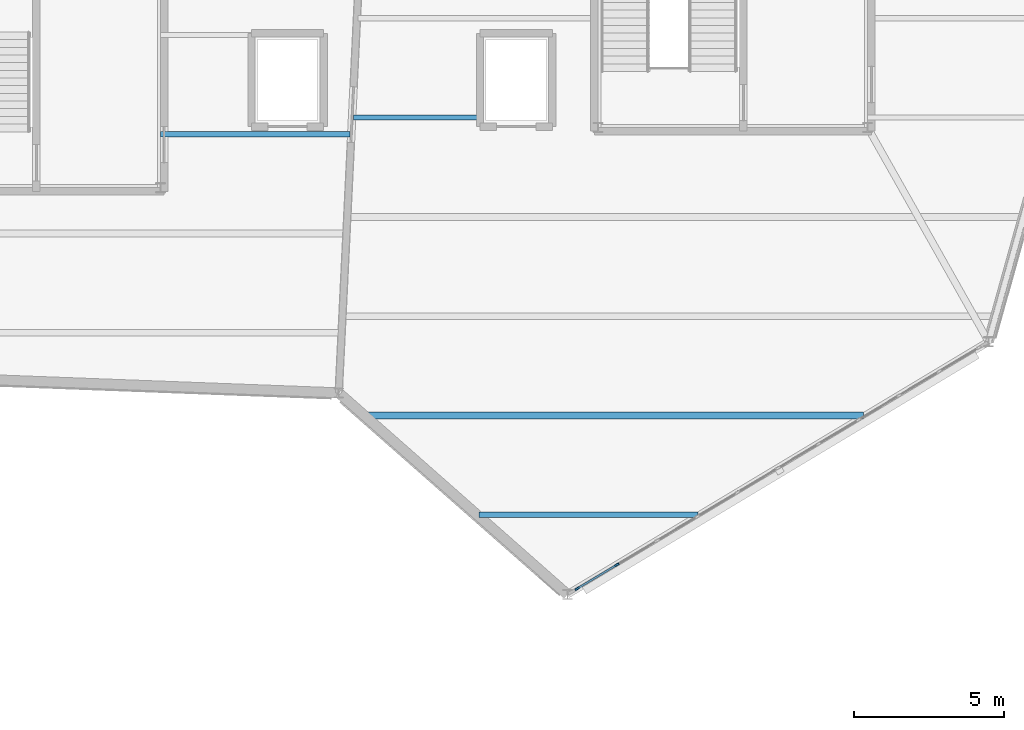
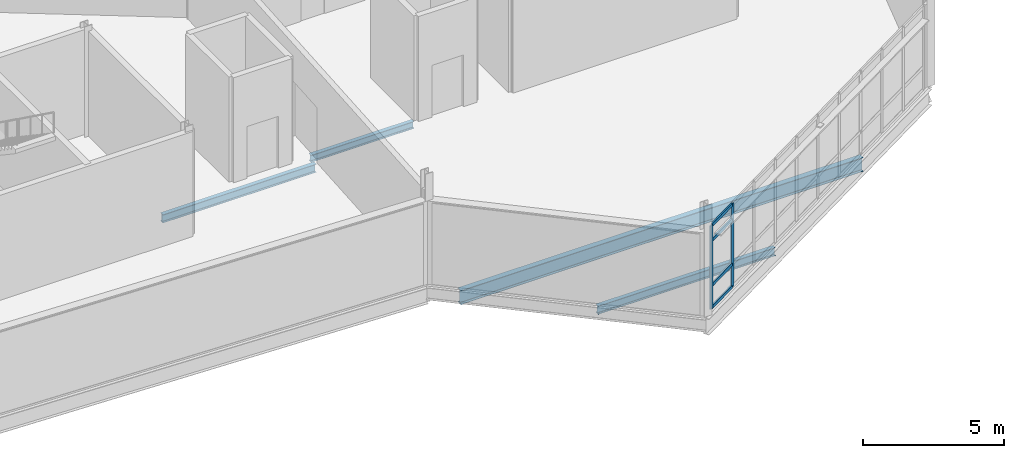
# One storey, part 51 of 114: 6 members, 4 beams, 1 element without a shape of its own.
"""IFC4 building model written with IfcOpenShell, lengths in metres."""

from ifc_helpers import new_model, si_unit, direction, frame, origin, origin_2d, place, context, subcontext, project, spatial, rectangle, i_section, extrude, material, material_profile, profile_set, type_object, element, aggregate, save


model = new_model("IFC4")

# Units and contexts
model_context = context("Model", 3, precision=1e-05, world=origin(), true_north=direction((0.0, 1.0)))
body_context = subcontext(model_context, "Body", "Model", "MODEL_VIEW")
ifc_project = project(units=[si_unit("LENGTHUNIT", "METRE"), si_unit("AREAUNIT", "SQUARE_METRE"), si_unit("VOLUMEUNIT", "CUBIC_METRE"), si_unit("PLANEANGLEUNIT", "RADIAN"), si_unit("MASSUNIT", "GRAM", prefix="KILO")], contexts=[model_context])

# Site, building, storey
site_placement = place(None, origin())
site = spatial("IfcSite", under=ifc_project, at=site_placement, CompositionType="ELEMENT")
building_placement = place(site_placement, origin())
building = spatial("IfcBuilding", under=site, at=building_placement, Name="Tameran Prism Museum", CompositionType="ELEMENT")
storey_placement = place(building_placement, frame((0.0, 0.0, 10.199951171875)))
storey = spatial("IfcBuildingStorey", under=building, at=storey_placement, Name="L02", CompositionType="ELEMENT", Elevation=10.199951171875)

# Beams
ifc_material_1 = material(Name="Steel Grade 300PLUS (300 MPa)", Category="steel")
ifc_material_profile_1 = material_profile(ifc_material_1, i_section(OverallWidth=0.166015625, OverallDepth=0.306884765625, WebThickness=0.006591796875, FlangeThickness=0.01171875, FilletRadius=0.011474609375, at=origin_2d()))
ifc_profile_set_1 = profile_set([ifc_material_profile_1])
beam_type_1 = type_object("IfcBeamType", Name="BM-J310A", PredefinedType="JOIST", material=ifc_profile_set_1)
beam_1_placement = place(storey_placement, frame((118.385009765625, 79.75, -0.353515625), z_axis=(1.0, 0.0, 0.0), x_axis=(0.0, 1.0, 0.0)))
element("IfcBeam", 1, at=beam_1_placement, inside=storey, type_object=beam_type_1, Name="Floor Beam BM-0823", PredefinedType="JOIST", context=body_context, shape_type="SweptSolid", body=[
    extrude(i_section(OverallWidth=0.166015625, OverallDepth=0.306884765625, WebThickness=0.006591796875, FlangeThickness=0.01171875, FilletRadius=0.011474609375, at=origin_2d()), origin(), (0.0, 0.0, 1.0), 4.235107421875),
])
ifc_material_2 = material(Name="Steel Grade 300PLUS (300 MPa)", Category="steel")
ifc_material_profile_2 = material_profile(ifc_material_2, i_section(OverallWidth=0.172119140625, OverallDepth=0.35888671875, WebThickness=0.008056640625, FlangeThickness=0.012939453125, FilletRadius=0.011474609375, at=origin_2d()))
ifc_profile_set_2 = profile_set([ifc_material_profile_2])
beam_type_2 = type_object("IfcBeamType", Name="BM-J360A", PredefinedType="JOIST", material=ifc_profile_set_2)
beam_2_placement = place(storey_placement, frame((111.97998046875, 79.199951171875, -0.37939453125), z_axis=(1.0, 0.0, 0.0), x_axis=(0.0, 1.0, 0.0)))
element("IfcBeam", 2, at=beam_2_placement, inside=storey, type_object=beam_type_2, Name="Floor Beam BM-0812", PredefinedType="JOIST", context=body_context, shape_type="SweptSolid", body=[
    extrude(i_section(OverallWidth=0.172119140625, OverallDepth=0.35888671875, WebThickness=0.008056640625, FlangeThickness=0.012939453125, FilletRadius=0.011474609375, at=origin_2d()), origin(), (0.0, 0.0, 1.0), 6.298095703125),
])
beam_3_placement = place(storey_placement, frame((122.554931640625, 66.550048828125, -0.37939453125), z_axis=(1.0, 0.0, 0.0), x_axis=(0.0, 1.0, 0.0)))
element("IfcBeam", 3, at=beam_3_placement, inside=storey, type_object=beam_type_2, Name="Floor Beam BM-0819", PredefinedType="JOIST", context=body_context, shape_type="SweptSolid", body=[
    extrude(i_section(OverallWidth=0.172119140625, OverallDepth=0.35888671875, WebThickness=0.008056640625, FlangeThickness=0.012939453125, FilletRadius=0.011474609375, at=origin_2d()), origin(), (0.0, 0.0, 1.0), 7.2841796875),
])
ifc_material_3 = material(Name="Steel Grade 300PLUS (300 MPa)", Category="steel")
ifc_material_profile_3 = material_profile(ifc_material_3, i_section(OverallWidth=0.22802734375, OverallDepth=0.60693359375, WebThickness=0.01123046875, FlangeThickness=0.017333984375, FilletRadius=0.013916015625, at=origin_2d()))
ifc_profile_set_3 = profile_set([ifc_material_profile_3])
beam_type_3 = type_object("IfcBeamType", Name="BM-UB610B", PredefinedType="BEAM", material=ifc_profile_set_3)
beam_4_placement = place(storey_placement, frame((118.81103515625, 69.85009765625, -0.50341796875), z_axis=(1.0, 0.0, 0.0), x_axis=(0.0, 1.0, 0.0)))
element("IfcBeam", 4, at=beam_4_placement, inside=storey, type_object=beam_type_3, Name="Floor Beam BM-0820", PredefinedType="BEAM", context=body_context, shape_type="SweptSolid", body=[
    extrude(i_section(OverallWidth=0.22802734375, OverallDepth=0.60693359375, WebThickness=0.01123046875, FlangeThickness=0.017333984375, FilletRadius=0.013916015625, at=origin_2d()), origin(), (0.0, 0.0, 1.0), 16.528076171875),
])

# Curtain wall, members
ifc_material_4 = material(Name="Anodised Aluminium 6063-T6 and Cyclone Solar Glass", Category="aluminium")
curtain_wall_type = type_object("IfcCurtainWallType", Name="CW-FAC-1563x362", PredefinedType="USERDEFINED", material=ifc_material_4)
curtain_wall_placement = place(storey_placement, origin())
curtain_wall = element("IfcCurtainWall", 5, at=curtain_wall_placement, inside=storey, type_object=curtain_wall_type, Name="Unitised Curtain Wall CW-099", ObjectType="UNITISED CURTAIN WALL", PredefinedType="USERDEFINED")
ifc_material_5 = material(Name="Anodised Aluminium Alloy 6063-T6", Category="aluminium")
ifc_material_profile_4 = material_profile(ifc_material_5, rectangle(XDim=0.06494140625, YDim=0.159912109375, at=origin_2d()))
ifc_profile_set_4 = profile_set([ifc_material_profile_4])
member_type_1 = type_object("IfcMemberType", Name="CW-MUL-A", PredefinedType="MULLION", material=ifc_profile_set_4)
member_1_placement = place(storey_placement, frame((127.139892578125, 64.884033203125, 0.0), z_axis=(0.0, 0.0, 1.0), x_axis=(0.514495755426, -0.857492925713, 0.0)))
member_1 = element("IfcMember", 6, at=member_1_placement, type_object=member_type_1, Name="CW-099 mullion 10", PredefinedType="MULLION", context=body_context, shape_type="SweptSolid", body=[
    extrude(rectangle(XDim=0.06494140625, YDim=0.159912109375, at=origin_2d()), origin(), (0.0, 0.0, 1.0), 3.6201171875),
])
member_2_placement = place(storey_placement, frame((125.827880859375, 64.0966796875, 0.0), z_axis=(0.0, 0.0, 1.0), x_axis=(0.514495755426, -0.857492925713, 0.0)))
member_2 = element("IfcMember", 7, at=member_2_placement, type_object=member_type_1, Name="CW-099 mullion 11", PredefinedType="MULLION", context=body_context, shape_type="SweptSolid", body=[
    extrude(rectangle(XDim=0.06494140625, YDim=0.159912109375, at=origin_2d()), origin(), (0.0, 0.0, 1.0), 3.6201171875),
])
ifc_material_6 = material(Name="Anodised Aluminium Alloy 6063-T6", Category="aluminium")
ifc_material_profile_5 = material_profile(ifc_material_6, rectangle(XDim=0.06494140625, YDim=0.139892578125, at=origin_2d()))
ifc_profile_set_5 = profile_set([ifc_material_profile_5])
member_type_2 = type_object("IfcMemberType", Name="CW-TRN-A", PredefinedType="USERDEFINED", material=ifc_profile_set_5)
member_3_placement = place(storey_placement, frame((127.112060546875, 64.8671875, 0.032470703125), z_axis=(-0.85753703354, -0.514422235239, 0.0), x_axis=(0.514422235239, -0.85753703354, 0.0)))
member_3 = element("IfcMember", 8, at=member_3_placement, type_object=member_type_2, Name="CW-099 transom 10.1", ObjectType="TRANSOM", PredefinedType="USERDEFINED", context=body_context, shape_type="SweptSolid", body=[
    extrude(rectangle(XDim=0.06494140625, YDim=0.139892578125, at=origin_2d()), origin(), (0.0, 0.0, 1.0), 1.465087890625),
])
member_4_placement = place(storey_placement, frame((127.112060546875, 64.8671875, 1.0), z_axis=(-0.85753703354, -0.514422235239, 0.0), x_axis=(0.514422235239, -0.85753703354, 0.0)))
member_4 = element("IfcMember", 9, at=member_4_placement, type_object=member_type_2, Name="CW-099 transom 10.2", ObjectType="TRANSOM", PredefinedType="USERDEFINED", context=body_context, shape_type="SweptSolid", body=[
    extrude(rectangle(XDim=0.06494140625, YDim=0.139892578125, at=origin_2d()), origin(), (0.0, 0.0, 1.0), 1.465087890625),
])
member_5_placement = place(storey_placement, frame((127.112060546875, 64.8671875, 2.93994140625), z_axis=(-0.85753703354, -0.514422235239, 0.0), x_axis=(0.514422235239, -0.85753703354, 0.0)))
member_5 = element("IfcMember", 10, at=member_5_placement, type_object=member_type_2, Name="CW-099 transom 10.3", ObjectType="TRANSOM", PredefinedType="USERDEFINED", context=body_context, shape_type="SweptSolid", body=[
    extrude(rectangle(XDim=0.06494140625, YDim=0.139892578125, at=origin_2d()), origin(), (0.0, 0.0, 1.0), 1.465087890625),
])
member_6_placement = place(storey_placement, frame((127.112060546875, 64.8671875, 3.587646484375), z_axis=(-0.85753703354, -0.514422235239, 0.0), x_axis=(0.514422235239, -0.85753703354, 0.0)))
member_6 = element("IfcMember", 11, at=member_6_placement, type_object=member_type_2, Name="CW-099 transom 10.4", ObjectType="TRANSOM", PredefinedType="USERDEFINED", context=body_context, shape_type="SweptSolid", body=[
    extrude(rectangle(XDim=0.06494140625, YDim=0.139892578125, at=origin_2d()), origin(), (0.0, 0.0, 1.0), 1.465087890625),
])
aggregate(curtain_wall, [member_1, member_2, member_3, member_4, member_5, member_6])

save(model, "model.ifc")
